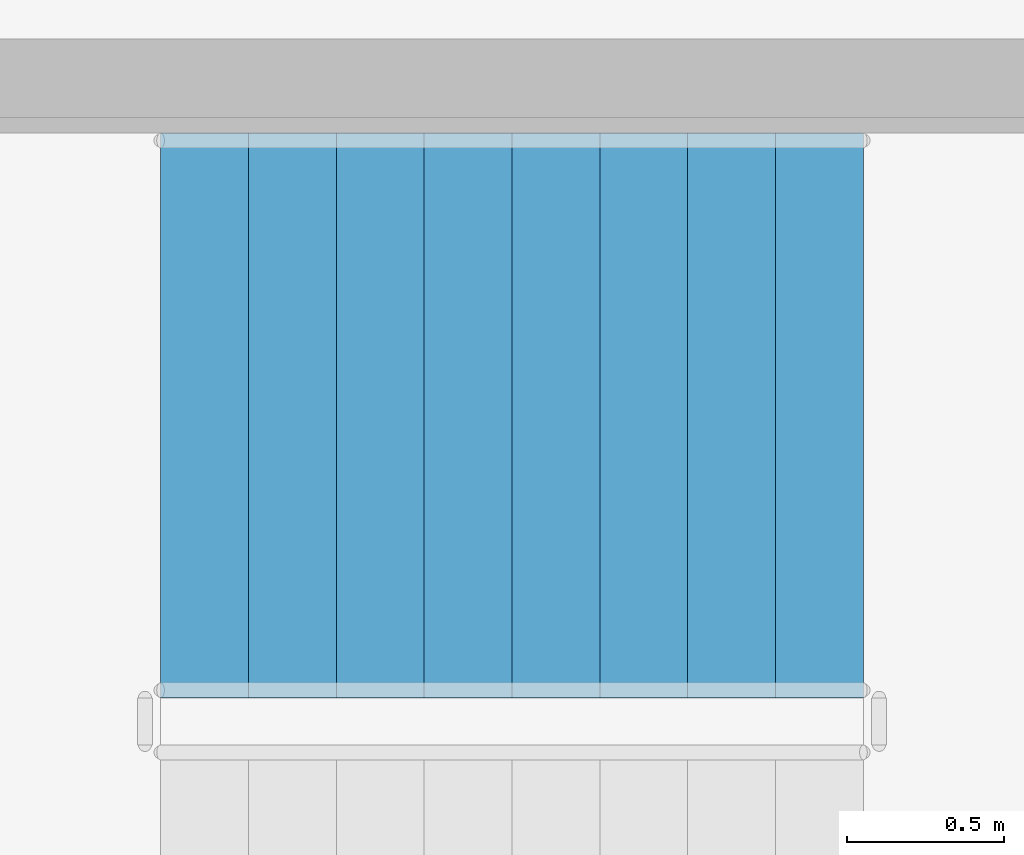
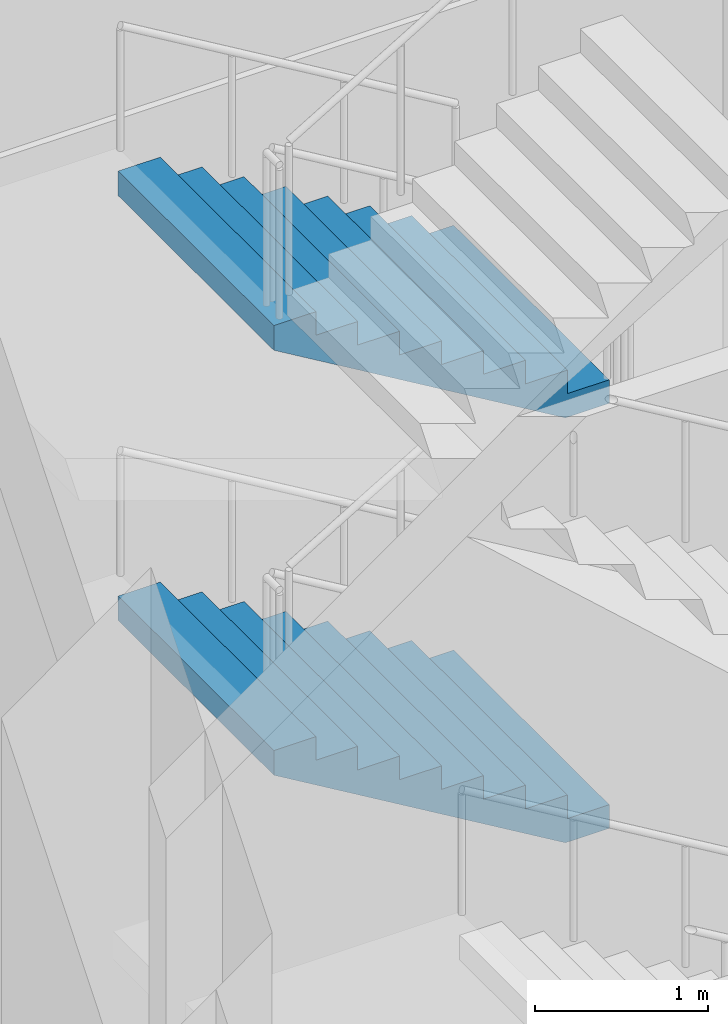
# One storey, part 18 of 39: 2 stair flights, 1 element without a shape of its own.
"""IFC4 building model written with IfcOpenShell, lengths in metres."""

from ifc_helpers import new_model, si_unit, direction, frame, origin, place, context, subcontext, project, spatial, triangles, material, type_object, element, aggregate, save


model = new_model("IFC4")

# Units and contexts
model_context = context("Model", 3, precision=1e-05, world=origin(), true_north=direction((0.0, 1.0)))
body_context = subcontext(model_context, "Body", "Model", "MODEL_VIEW")
ifc_project = project(units=[si_unit("LENGTHUNIT", "METRE"), si_unit("AREAUNIT", "SQUARE_METRE"), si_unit("VOLUMEUNIT", "CUBIC_METRE"), si_unit("PLANEANGLEUNIT", "RADIAN"), si_unit("MASSUNIT", "GRAM", prefix="KILO")], contexts=[model_context])

# Site, building, storey
site_placement = place(None, origin())
site = spatial("IfcSite", under=ifc_project, at=site_placement, CompositionType="ELEMENT")
building_placement = place(site_placement, origin())
building = spatial("IfcBuilding", under=site, at=building_placement, Name="Magnolia Steps Interchange", CompositionType="ELEMENT")
storey_placement = place(building_placement, frame((0.0, 0.0, -11.39990234375)))
storey = spatial("IfcBuildingStorey", under=building, at=storey_placement, Name="B2", CompositionType="ELEMENT", Elevation=-11.39990234375)

# Stair, stair flights
ifc_material_1 = material(Name="Concrete C40", Category="concrete")
stair_type = type_object("IfcStairType", Name="Exit stair 1800", PredefinedType="HALF_TURN_STAIR", material=ifc_material_1)
stair_placement = place(storey_placement, origin())
stair = element("IfcStair", 1, at=stair_placement, inside=storey, type_object=stair_type, Name="B2 Stair 10", PredefinedType="HALF_TURN_STAIR")
ifc_material_2 = material(Name="Concrete C40", Category="concrete")
stair_flight_type = type_object("IfcStairFlightType", Name="Exit stair flight", PredefinedType="STRAIGHT", material=ifc_material_2)
stair_flight_1_placement = place(storey_placement, frame((57.52490234375, 66.925048828125, 0.0), z_axis=(0.0, 0.0, 1.0), x_axis=(-1.0, 0.0, 0.0)))
stair_flight_1 = element("IfcStairFlight", 2, at=stair_flight_1_placement, type_object=stair_flight_type, Name="Stair 10 flight 1", NumberOfRisers=9, NumberOfTreads=8, PredefinedType="STRAIGHT", RiserHeight=0.166666667, TreadLength=0.28, context=body_context, shape_type="Tessellation", body=[
    triangles([(0.0, -0.9000244140625, 0.0), (0.29296875, -0.9000244140625, 0.0), (2.239990234375, -0.9000244140625, 1.158935546875), (2.239990234375, -0.9000244140625, 1.333251953125), (1.9599609375, -0.9000244140625, 1.333251953125), (1.9599609375, -0.9000244140625, 1.166748046875), (1.679931640625, -0.9000244140625, 1.166748046875), (1.679931640625, -0.9000244140625, 1.0), (1.39990234375, -0.9000244140625, 1.0), (1.39990234375, -0.9000244140625, 0.833251953125), (1.1201171875, -0.9000244140625, 0.833251953125), (1.1201171875, -0.9000244140625, 0.666748046875), (0.840087890625, -0.9000244140625, 0.666748046875), (0.840087890625, -0.9000244140625, 0.5), (0.56005859375, -0.9000244140625, 0.5), (0.56005859375, -0.9000244140625, 0.333251953125), (0.280029296875, -0.9000244140625, 0.333251953125), (0.280029296875, -0.9000244140625, 0.166748046875), (0.0, -0.9000244140625, 0.166748046875), (0.0, 0.9000244140625, 0.0), (0.29296875, 0.9000244140625, 0.0), (2.239990234375, 0.9000244140625, 1.158935546875), (2.239990234375, 0.9000244140625, 1.333251953125), (1.9599609375, 0.9000244140625, 1.333251953125), (1.9599609375, 0.9000244140625, 1.166748046875), (1.679931640625, 0.9000244140625, 1.166748046875), (1.679931640625, 0.9000244140625, 1.0), (1.39990234375, 0.9000244140625, 1.0), (1.39990234375, 0.9000244140625, 0.833251953125), (1.1201171875, 0.9000244140625, 0.833251953125), (1.1201171875, 0.9000244140625, 0.666748046875), (0.840087890625, 0.9000244140625, 0.666748046875), (0.840087890625, 0.9000244140625, 0.5), (0.56005859375, 0.9000244140625, 0.5), (0.56005859375, 0.9000244140625, 0.333251953125), (0.280029296875, 0.9000244140625, 0.333251953125), (0.280029296875, 0.9000244140625, 0.166748046875), (0.0, 0.9000244140625, 0.166748046875), (0.0, 0.0, 0.0), (0.0, 0.0, 0.04168701171875), (0.0, 0.0, 0.0833740234375), (0.0, 0.0, 0.12506103515625), (0.0, 0.0, 0.166748046875), (0.0, -0.05, 0.0), (0.0, -0.05, 0.166748046875), (0.0, 0.05, 0.0), (0.0, 0.05, 0.166748046875), (0.046671549479166664, 0.0, 0.166748046875), (0.09334309895833333, 0.0, 0.166748046875), (0.1400146484375, 0.0, 0.166748046875), (0.18668619791666666, 0.0, 0.166748046875), (0.23335774739583334, 0.0, 0.166748046875), (0.280029296875, 0.0, 0.166748046875), (0.280029296875, -0.05, 0.166748046875), (0.280029296875, 0.05, 0.166748046875), (0.280029296875, 0.0, 0.2083740234375), (0.280029296875, 0.0, 0.25), (0.280029296875, 0.0, 0.2916259765625), (0.280029296875, 0.0, 0.333251953125), (0.280029296875, -0.05, 0.333251953125), (0.280029296875, 0.05, 0.333251953125), (0.3267008463541667, 0.0, 0.333251953125), (0.3733723958333333, 0.0, 0.333251953125), (0.4200439453125, 0.0, 0.333251953125), (0.46671549479166663, 0.0, 0.333251953125), (0.5133870442708334, 0.0, 0.333251953125), (0.56005859375, 0.0, 0.333251953125), (0.56005859375, -0.05, 0.333251953125), (0.56005859375, 0.05, 0.333251953125), (0.56005859375, 0.0, 0.37493896484375), (0.56005859375, 0.0, 0.4166259765625), (0.56005859375, 0.0, 0.45831298828125), (0.56005859375, 0.0, 0.5), (0.56005859375, -0.05, 0.5), (0.56005859375, 0.05, 0.5), (0.6067301432291666, 0.0, 0.5), (0.6534016927083334, 0.0, 0.5), (0.7000732421875, 0.0, 0.5), (0.7467447916666666, 0.0, 0.5), (0.7934163411458334, 0.0, 0.5), (0.840087890625, 0.0, 0.5), (0.840087890625, -0.05, 0.5), (0.840087890625, 0.05, 0.5), (0.840087890625, 0.0, 0.54168701171875), (0.840087890625, 0.0, 0.5833740234375), (0.840087890625, 0.0, 0.62506103515625), (0.840087890625, 0.0, 0.666748046875), (0.840087890625, -0.05, 0.666748046875), (0.840087890625, 0.05, 0.666748046875), (0.8867594401041666, 0.0, 0.666748046875), (0.9334309895833334, 0.0, 0.666748046875), (0.9801025390625, 0.0, 0.666748046875), (1.0267740885416667, 0.0, 0.666748046875), (1.0734456380208333, 0.0, 0.666748046875), (1.1201171875, 0.0, 0.666748046875), (1.1201171875, -0.05, 0.666748046875), (1.1201171875, 0.05, 0.666748046875), (1.1201171875, 0.0, 0.7083740234375), (1.1201171875, 0.0, 0.75), (1.1201171875, 0.0, 0.7916259765625), (1.1201171875, 0.0, 0.833251953125), (1.1201171875, -0.05, 0.833251953125), (1.1201171875, 0.05, 0.833251953125), (1.1900634765625, 0.0, 0.833251953125), (1.260009765625, 0.0, 0.833251953125), (1.3299560546875, 0.0, 0.833251953125), (1.39990234375, 0.0, 0.833251953125), (1.39990234375, -0.05, 0.833251953125), (1.39990234375, 0.05, 0.833251953125), (1.39990234375, 0.0, 0.87493896484375), (1.39990234375, 0.0, 0.9166259765625), (1.39990234375, 0.0, 0.95831298828125), (1.39990234375, 0.0, 1.0), (1.39990234375, -0.05, 1.0), (1.39990234375, 0.05, 1.0), (1.4465738932291667, 0.0, 1.0), (1.4932454427083333, 0.0, 1.0), (1.5399169921875, 0.0, 1.0), (1.5865885416666667, 0.0, 1.0), (1.6332600911458333, 0.0, 1.0), (1.679931640625, 0.0, 1.0), (1.679931640625, -0.05, 1.0), (1.679931640625, 0.05, 1.0), (1.679931640625, 0.0, 1.04168701171875), (1.679931640625, 0.0, 1.0833740234375), (1.679931640625, 0.0, 1.12506103515625), (1.679931640625, 0.0, 1.166748046875), (1.679931640625, -0.05, 1.166748046875), (1.679931640625, 0.05, 1.166748046875), (1.7266031901041667, 0.0, 1.166748046875), (1.7732747395833333, 0.0, 1.166748046875), (1.8199462890625, 0.0, 1.166748046875), (1.8666178385416667, 0.0, 1.166748046875), (1.9132893880208333, 0.0, 1.166748046875), (1.9599609375, 0.0, 1.166748046875), (1.9599609375, -0.05, 1.166748046875), (1.9599609375, 0.05, 1.166748046875), (1.9599609375, 0.0, 1.2083740234375), (1.9599609375, 0.0, 1.25), (1.9599609375, 0.0, 1.2916259765625), (1.9599609375, 0.0, 1.333251953125), (1.9599609375, -0.05, 1.333251953125), (1.9599609375, 0.05, 1.333251953125), (2.0066324869791665, 0.0, 1.333251953125), (2.0533040364583335, 0.0, 1.333251953125), (2.0999755859375, 0.0, 1.333251953125), (2.1466471354166665, 0.0, 1.333251953125), (2.1933186848958335, 0.0, 1.333251953125), (2.239990234375, 0.0, 1.333251953125), (2.239990234375, -0.05, 1.333251953125), (2.239990234375, 0.05, 1.333251953125), (2.239990234375, 0.0, 1.2896728515625), (2.239990234375, 0.0, 1.24609375), (2.239990234375, 0.0, 1.2025146484375), (2.239990234375, 0.0, 1.158935546875), (2.239990234375, -0.05, 1.158935546875), (2.239990234375, 0.05, 1.158935546875), (2.1827248965992645, 0.0, 1.1248492072610294), (2.1254595588235294, 0.0, 1.0907628676470589), (2.068194221047794, 0.0, 1.0566765280330883), (2.010928883272059, 0.0, 1.0225901884191178), (1.9536635454963236, 0.0, 0.9885038488051471), (1.8963982077205883, 0.0, 0.9544175091911764), (1.8391328699448528, 0.0, 0.9203311695772058), (1.7818675321691178, 0.0, 0.8862448299632353), (1.7246021943933822, 0.0, 0.8521584903492647), (1.6673368566176472, 0.0, 0.8180721507352942), (1.6100715188419117, 0.0, 0.7839858111213236), (1.5528061810661766, 0.0, 0.7498994715073529), (1.4955408432904411, 0.0, 0.7158131318933824), (1.4382755055147058, 0.0, 0.6817267922794117), (1.3810101677389706, 0.0, 0.6476404526654411), (1.3237448299632353, 0.0, 0.6135541130514706), (1.2664794921875, 0.0, 0.5794677734375), (1.2092141544117647, 0.0, 0.5453814338235294), (1.1519488166360294, 0.0, 0.5112950942095589), (1.0946834788602942, 0.0, 0.4772087545955882), (1.0374181410845589, 0.0, 0.44312241498161764), (0.9801528033088236, 0.0, 0.4090360753676471), (0.9228874655330883, 0.0, 0.3749497357536765), (0.865622127757353, 0.0, 0.34086339613970584), (0.8083567899816178, 0.0, 0.3067770565257353), (0.7510914522058822, 0.0, 0.2726907169117647), (0.693826114430147, 0.0, 0.23860437729779416), (0.6365607766544117, 0.0, 0.20451803768382348), (0.5792954388786764, 0.0, 0.17043169806985292), (0.5220301011029411, 0.0, 0.13634535845588225), (0.46476476332720584, 0.0, 0.10225901884191169), (0.40749942555147056, 0.0, 0.06817267922794112), (0.3502340877757353, 0.0, 0.03408633961397056), (0.29296875, 0.0, 0.0), (0.29296875, -0.05, 0.0), (0.29296875, 0.05, 0.0), (0.244140625, 0.0, 0.0), (0.1953125, 0.0, 0.0), (0.146484375, 0.0, 0.0), (0.09765625, 0.0, 0.0), (0.048828125, 0.0, 0.0)], [[1, 2, 3], [3, 4, 5], [3, 5, 6], [3, 6, 7], [3, 7, 8], [8, 9, 10], [3, 8, 10], [10, 11, 12], [3, 10, 12], [12, 13, 14], [3, 12, 14], [14, 15, 16], [3, 14, 16], [1, 3, 16], [16, 17, 18], [1, 16, 18], [18, 19, 1], [20, 22, 21], [22, 24, 23], [22, 25, 24], [22, 26, 25], [22, 27, 26], [27, 29, 28], [22, 29, 27], [29, 31, 30], [22, 31, 29], [31, 33, 32], [22, 33, 31], [33, 35, 34], [22, 35, 33], [20, 35, 22], [35, 37, 36], [20, 37, 35], [37, 20, 38], [1, 19, 45], [1, 45, 44], [44, 40, 39], [44, 41, 40], [44, 45, 41], [45, 42, 41], [45, 43, 42], [20, 47, 38], [20, 46, 47], [46, 39, 40], [46, 40, 41], [46, 41, 47], [47, 41, 42], [47, 42, 43], [19, 18, 54], [19, 54, 45], [45, 48, 43], [45, 49, 48], [45, 50, 49], [45, 54, 50], [54, 51, 50], [54, 52, 51], [54, 53, 52], [38, 55, 37], [38, 47, 55], [47, 43, 48], [47, 48, 49], [47, 49, 50], [47, 50, 55], [55, 50, 51], [55, 51, 52], [55, 52, 53], [18, 17, 60], [18, 60, 54], [54, 56, 53], [54, 57, 56], [54, 60, 57], [60, 58, 57], [60, 59, 58], [37, 61, 36], [37, 55, 61], [55, 53, 56], [55, 56, 57], [55, 57, 61], [61, 57, 58], [61, 58, 59], [17, 16, 68], [17, 68, 60], [60, 62, 59], [60, 63, 62], [60, 64, 63], [60, 68, 64], [68, 65, 64], [68, 66, 65], [68, 67, 66], [36, 69, 35], [36, 61, 69], [61, 59, 62], [61, 62, 63], [61, 63, 64], [61, 64, 69], [69, 64, 65], [69, 65, 66], [69, 66, 67], [16, 15, 74], [16, 74, 68], [68, 70, 67], [68, 71, 70], [68, 74, 71], [74, 72, 71], [74, 73, 72], [35, 75, 34], [35, 69, 75], [69, 67, 70], [69, 70, 71], [69, 71, 75], [75, 71, 72], [75, 72, 73], [15, 14, 82], [15, 82, 74], [74, 76, 73], [74, 77, 76], [74, 78, 77], [74, 82, 78], [82, 79, 78], [82, 80, 79], [82, 81, 80], [34, 83, 33], [34, 75, 83], [75, 73, 76], [75, 76, 77], [75, 77, 78], [75, 78, 83], [83, 78, 79], [83, 79, 80], [83, 80, 81], [14, 13, 88], [14, 88, 82], [82, 84, 81], [82, 85, 84], [82, 88, 85], [88, 86, 85], [88, 87, 86], [33, 89, 32], [33, 83, 89], [83, 81, 84], [83, 84, 85], [83, 85, 89], [89, 85, 86], [89, 86, 87], [13, 12, 96], [13, 96, 88], [88, 90, 87], [88, 91, 90], [88, 92, 91], [88, 96, 92], [96, 93, 92], [96, 94, 93], [96, 95, 94], [32, 97, 31], [32, 89, 97], [89, 87, 90], [89, 90, 91], [89, 91, 92], [89, 92, 97], [97, 92, 93], [97, 93, 94], [97, 94, 95], [12, 11, 102], [12, 102, 96], [96, 98, 95], [96, 99, 98], [96, 102, 99], [102, 100, 99], [102, 101, 100], [31, 103, 30], [31, 97, 103], [97, 95, 98], [97, 98, 99], [97, 99, 103], [103, 99, 100], [103, 100, 101], [11, 10, 108], [11, 108, 102], [102, 104, 101], [102, 105, 104], [102, 108, 105], [108, 106, 105], [108, 107, 106], [30, 109, 29], [30, 103, 109], [103, 101, 104], [103, 104, 105], [103, 105, 109], [109, 105, 106], [109, 106, 107], [10, 9, 114], [10, 114, 108], [108, 110, 107], [108, 111, 110], [108, 114, 111], [114, 112, 111], [114, 113, 112], [29, 115, 28], [29, 109, 115], [109, 107, 110], [109, 110, 111], [109, 111, 115], [115, 111, 112], [115, 112, 113], [9, 8, 122], [9, 122, 114], [114, 116, 113], [114, 117, 116], [114, 118, 117], [114, 122, 118], [122, 119, 118], [122, 120, 119], [122, 121, 120], [28, 123, 27], [28, 115, 123], [115, 113, 116], [115, 116, 117], [115, 117, 118], [115, 118, 123], [123, 118, 119], [123, 119, 120], [123, 120, 121], [8, 7, 128], [8, 128, 122], [122, 124, 121], [122, 125, 124], [122, 128, 125], [128, 126, 125], [128, 127, 126], [27, 129, 26], [27, 123, 129], [123, 121, 124], [123, 124, 125], [123, 125, 129], [129, 125, 126], [129, 126, 127], [7, 6, 136], [7, 136, 128], [128, 130, 127], [128, 131, 130], [128, 132, 131], [128, 136, 132], [136, 133, 132], [136, 134, 133], [136, 135, 134], [26, 137, 25], [26, 129, 137], [129, 127, 130], [129, 130, 131], [129, 131, 132], [129, 132, 137], [137, 132, 133], [137, 133, 134], [137, 134, 135], [6, 5, 142], [6, 142, 136], [136, 138, 135], [136, 139, 138], [136, 142, 139], [142, 140, 139], [142, 141, 140], [25, 143, 24], [25, 137, 143], [137, 135, 138], [137, 138, 139], [137, 139, 143], [143, 139, 140], [143, 140, 141], [5, 4, 150], [5, 150, 142], [142, 144, 141], [142, 145, 144], [142, 146, 145], [142, 150, 146], [150, 147, 146], [150, 148, 147], [150, 149, 148], [24, 151, 23], [24, 143, 151], [143, 141, 144], [143, 144, 145], [143, 145, 146], [143, 146, 151], [151, 146, 147], [151, 147, 148], [151, 148, 149], [4, 3, 156], [4, 156, 150], [150, 152, 149], [150, 153, 152], [150, 156, 153], [156, 154, 153], [156, 155, 154], [23, 157, 22], [23, 151, 157], [151, 149, 152], [151, 152, 153], [151, 153, 157], [157, 153, 154], [157, 154, 155], [3, 2, 192], [3, 192, 156], [156, 158, 155], [156, 159, 158], [156, 160, 159], [156, 161, 160], [156, 162, 161], [156, 163, 162], [156, 164, 163], [156, 165, 164], [156, 166, 165], [156, 167, 166], [156, 168, 167], [156, 169, 168], [156, 170, 169], [156, 171, 170], [156, 172, 171], [156, 173, 172], [156, 174, 173], [156, 192, 174], [192, 175, 174], [192, 176, 175], [192, 177, 176], [192, 178, 177], [192, 179, 178], [192, 180, 179], [192, 181, 180], [192, 182, 181], [192, 183, 182], [192, 184, 183], [192, 185, 184], [192, 186, 185], [192, 187, 186], [192, 188, 187], [192, 189, 188], [192, 190, 189], [192, 191, 190], [22, 193, 21], [22, 157, 193], [157, 155, 158], [157, 158, 159], [157, 159, 160], [157, 160, 161], [157, 161, 162], [157, 162, 163], [157, 163, 164], [157, 164, 165], [157, 165, 166], [157, 166, 167], [157, 167, 168], [157, 168, 169], [157, 169, 170], [157, 170, 171], [157, 171, 172], [157, 172, 173], [157, 173, 174], [157, 174, 193], [193, 174, 175], [193, 175, 176], [193, 176, 177], [193, 177, 178], [193, 178, 179], [193, 179, 180], [193, 180, 181], [193, 181, 182], [193, 182, 183], [193, 183, 184], [193, 184, 185], [193, 185, 186], [193, 186, 187], [193, 187, 188], [193, 188, 189], [193, 189, 190], [193, 190, 191], [2, 1, 44], [2, 44, 192], [192, 194, 191], [192, 195, 194], [192, 196, 195], [192, 44, 196], [44, 197, 196], [44, 198, 197], [44, 39, 198], [21, 46, 20], [21, 193, 46], [193, 191, 194], [193, 194, 195], [193, 195, 196], [193, 196, 46], [46, 196, 197], [46, 197, 198], [46, 198, 39]], closed=True),
])
stair_flight_2_placement = place(storey_placement, frame((57.52490234375, 66.925048828125, 3.0), z_axis=(0.0, 0.0, 1.0), x_axis=(-1.0, 0.0, 0.0)))
stair_flight_2 = element("IfcStairFlight", 3, at=stair_flight_2_placement, type_object=stair_flight_type, Name="Stair 10 flight 3", NumberOfRisers=9, NumberOfTreads=8, PredefinedType="STRAIGHT", RiserHeight=0.166666667, TreadLength=0.28, context=body_context, shape_type="Tessellation", body=[
    triangles([(0.0, -0.9000244140625, 0.0), (0.29296875, -0.9000244140625, 0.0), (2.239990234375, -0.9000244140625, 1.158935546875), (2.239990234375, -0.9000244140625, 1.333251953125), (1.9599609375, -0.9000244140625, 1.333251953125), (1.9599609375, -0.9000244140625, 1.166748046875), (1.679931640625, -0.9000244140625, 1.166748046875), (1.679931640625, -0.9000244140625, 1.0), (1.39990234375, -0.9000244140625, 1.0), (1.39990234375, -0.9000244140625, 0.833251953125), (1.1201171875, -0.9000244140625, 0.833251953125), (1.1201171875, -0.9000244140625, 0.666748046875), (0.840087890625, -0.9000244140625, 0.666748046875), (0.840087890625, -0.9000244140625, 0.5), (0.56005859375, -0.9000244140625, 0.5), (0.56005859375, -0.9000244140625, 0.333251953125), (0.280029296875, -0.9000244140625, 0.333251953125), (0.280029296875, -0.9000244140625, 0.166748046875), (0.0, -0.9000244140625, 0.166748046875), (0.0, 0.9000244140625, 0.0), (0.29296875, 0.9000244140625, 0.0), (2.239990234375, 0.9000244140625, 1.158935546875), (2.239990234375, 0.9000244140625, 1.333251953125), (1.9599609375, 0.9000244140625, 1.333251953125), (1.9599609375, 0.9000244140625, 1.166748046875), (1.679931640625, 0.9000244140625, 1.166748046875), (1.679931640625, 0.9000244140625, 1.0), (1.39990234375, 0.9000244140625, 1.0), (1.39990234375, 0.9000244140625, 0.833251953125), (1.1201171875, 0.9000244140625, 0.833251953125), (1.1201171875, 0.9000244140625, 0.666748046875), (0.840087890625, 0.9000244140625, 0.666748046875), (0.840087890625, 0.9000244140625, 0.5), (0.56005859375, 0.9000244140625, 0.5), (0.56005859375, 0.9000244140625, 0.333251953125), (0.280029296875, 0.9000244140625, 0.333251953125), (0.280029296875, 0.9000244140625, 0.166748046875), (0.0, 0.9000244140625, 0.166748046875), (0.0, 0.0, 0.0), (0.0, 0.0, 0.04168701171875), (0.0, 0.0, 0.0833740234375), (0.0, 0.0, 0.12506103515625), (0.0, 0.0, 0.166748046875), (0.0, -0.05, 0.0), (0.0, -0.05, 0.166748046875), (0.0, 0.05, 0.0), (0.0, 0.05, 0.166748046875), (0.046671549479166664, 0.0, 0.166748046875), (0.09334309895833333, 0.0, 0.166748046875), (0.1400146484375, 0.0, 0.166748046875), (0.18668619791666666, 0.0, 0.166748046875), (0.23335774739583334, 0.0, 0.166748046875), (0.280029296875, 0.0, 0.166748046875), (0.280029296875, -0.05, 0.166748046875), (0.280029296875, 0.05, 0.166748046875), (0.280029296875, 0.0, 0.2083740234375), (0.280029296875, 0.0, 0.25), (0.280029296875, 0.0, 0.2916259765625), (0.280029296875, 0.0, 0.333251953125), (0.280029296875, -0.05, 0.333251953125), (0.280029296875, 0.05, 0.333251953125), (0.3267008463541667, 0.0, 0.333251953125), (0.3733723958333333, 0.0, 0.333251953125), (0.4200439453125, 0.0, 0.333251953125), (0.46671549479166663, 0.0, 0.333251953125), (0.5133870442708334, 0.0, 0.333251953125), (0.56005859375, 0.0, 0.333251953125), (0.56005859375, -0.05, 0.333251953125), (0.56005859375, 0.05, 0.333251953125), (0.56005859375, 0.0, 0.37493896484375), (0.56005859375, 0.0, 0.4166259765625), (0.56005859375, 0.0, 0.45831298828125), (0.56005859375, 0.0, 0.5), (0.56005859375, -0.05, 0.5), (0.56005859375, 0.05, 0.5), (0.6067301432291666, 0.0, 0.5), (0.6534016927083334, 0.0, 0.5), (0.7000732421875, 0.0, 0.5), (0.7467447916666666, 0.0, 0.5), (0.7934163411458334, 0.0, 0.5), (0.840087890625, 0.0, 0.5), (0.840087890625, -0.05, 0.5), (0.840087890625, 0.05, 0.5), (0.840087890625, 0.0, 0.54168701171875), (0.840087890625, 0.0, 0.5833740234375), (0.840087890625, 0.0, 0.62506103515625), (0.840087890625, 0.0, 0.666748046875), (0.840087890625, -0.05, 0.666748046875), (0.840087890625, 0.05, 0.666748046875), (0.8867594401041666, 0.0, 0.666748046875), (0.9334309895833334, 0.0, 0.666748046875), (0.9801025390625, 0.0, 0.666748046875), (1.0267740885416667, 0.0, 0.666748046875), (1.0734456380208333, 0.0, 0.666748046875), (1.1201171875, 0.0, 0.666748046875), (1.1201171875, -0.05, 0.666748046875), (1.1201171875, 0.05, 0.666748046875), (1.1201171875, 0.0, 0.7083740234375), (1.1201171875, 0.0, 0.75), (1.1201171875, 0.0, 0.7916259765625), (1.1201171875, 0.0, 0.833251953125), (1.1201171875, -0.05, 0.833251953125), (1.1201171875, 0.05, 0.833251953125), (1.1900634765625, 0.0, 0.833251953125), (1.260009765625, 0.0, 0.833251953125), (1.3299560546875, 0.0, 0.833251953125), (1.39990234375, 0.0, 0.833251953125), (1.39990234375, -0.05, 0.833251953125), (1.39990234375, 0.05, 0.833251953125), (1.39990234375, 0.0, 0.87493896484375), (1.39990234375, 0.0, 0.9166259765625), (1.39990234375, 0.0, 0.95831298828125), (1.39990234375, 0.0, 1.0), (1.39990234375, -0.05, 1.0), (1.39990234375, 0.05, 1.0), (1.4465738932291667, 0.0, 1.0), (1.4932454427083333, 0.0, 1.0), (1.5399169921875, 0.0, 1.0), (1.5865885416666667, 0.0, 1.0), (1.6332600911458333, 0.0, 1.0), (1.679931640625, 0.0, 1.0), (1.679931640625, -0.05, 1.0), (1.679931640625, 0.05, 1.0), (1.679931640625, 0.0, 1.04168701171875), (1.679931640625, 0.0, 1.0833740234375), (1.679931640625, 0.0, 1.12506103515625), (1.679931640625, 0.0, 1.166748046875), (1.679931640625, -0.05, 1.166748046875), (1.679931640625, 0.05, 1.166748046875), (1.7266031901041667, 0.0, 1.166748046875), (1.7732747395833333, 0.0, 1.166748046875), (1.8199462890625, 0.0, 1.166748046875), (1.8666178385416667, 0.0, 1.166748046875), (1.9132893880208333, 0.0, 1.166748046875), (1.9599609375, 0.0, 1.166748046875), (1.9599609375, -0.05, 1.166748046875), (1.9599609375, 0.05, 1.166748046875), (1.9599609375, 0.0, 1.2083740234375), (1.9599609375, 0.0, 1.25), (1.9599609375, 0.0, 1.2916259765625), (1.9599609375, 0.0, 1.333251953125), (1.9599609375, -0.05, 1.333251953125), (1.9599609375, 0.05, 1.333251953125), (2.0066324869791665, 0.0, 1.333251953125), (2.0533040364583335, 0.0, 1.333251953125), (2.0999755859375, 0.0, 1.333251953125), (2.1466471354166665, 0.0, 1.333251953125), (2.1933186848958335, 0.0, 1.333251953125), (2.239990234375, 0.0, 1.333251953125), (2.239990234375, -0.05, 1.333251953125), (2.239990234375, 0.05, 1.333251953125), (2.239990234375, 0.0, 1.2896728515625), (2.239990234375, 0.0, 1.24609375), (2.239990234375, 0.0, 1.2025146484375), (2.239990234375, 0.0, 1.158935546875), (2.239990234375, -0.05, 1.158935546875), (2.239990234375, 0.05, 1.158935546875), (2.1827248965992645, 0.0, 1.1248492072610294), (2.1254595588235294, 0.0, 1.0907628676470589), (2.068194221047794, 0.0, 1.0566765280330883), (2.010928883272059, 0.0, 1.0225901884191178), (1.9536635454963236, 0.0, 0.9885038488051471), (1.8963982077205883, 0.0, 0.9544175091911764), (1.8391328699448528, 0.0, 0.9203311695772058), (1.7818675321691178, 0.0, 0.8862448299632353), (1.7246021943933822, 0.0, 0.8521584903492647), (1.6673368566176472, 0.0, 0.8180721507352942), (1.6100715188419117, 0.0, 0.7839858111213236), (1.5528061810661766, 0.0, 0.7498994715073529), (1.4955408432904411, 0.0, 0.7158131318933824), (1.4382755055147058, 0.0, 0.6817267922794117), (1.3810101677389706, 0.0, 0.6476404526654411), (1.3237448299632353, 0.0, 0.6135541130514706), (1.2664794921875, 0.0, 0.5794677734375), (1.2092141544117647, 0.0, 0.5453814338235294), (1.1519488166360294, 0.0, 0.5112950942095589), (1.0946834788602942, 0.0, 0.4772087545955882), (1.0374181410845589, 0.0, 0.44312241498161764), (0.9801528033088236, 0.0, 0.4090360753676471), (0.9228874655330883, 0.0, 0.3749497357536765), (0.865622127757353, 0.0, 0.34086339613970584), (0.8083567899816178, 0.0, 0.3067770565257353), (0.7510914522058822, 0.0, 0.2726907169117647), (0.693826114430147, 0.0, 0.23860437729779416), (0.6365607766544117, 0.0, 0.20451803768382348), (0.5792954388786764, 0.0, 0.17043169806985292), (0.5220301011029411, 0.0, 0.13634535845588225), (0.46476476332720584, 0.0, 0.10225901884191169), (0.40749942555147056, 0.0, 0.06817267922794112), (0.3502340877757353, 0.0, 0.03408633961397056), (0.29296875, 0.0, 0.0), (0.29296875, -0.05, 0.0), (0.29296875, 0.05, 0.0), (0.244140625, 0.0, 0.0), (0.1953125, 0.0, 0.0), (0.146484375, 0.0, 0.0), (0.09765625, 0.0, 0.0), (0.048828125, 0.0, 0.0)], [[1, 2, 3], [3, 4, 5], [3, 5, 6], [3, 6, 7], [3, 7, 8], [8, 9, 10], [3, 8, 10], [10, 11, 12], [3, 10, 12], [12, 13, 14], [3, 12, 14], [14, 15, 16], [3, 14, 16], [1, 3, 16], [16, 17, 18], [1, 16, 18], [18, 19, 1], [20, 22, 21], [22, 24, 23], [22, 25, 24], [22, 26, 25], [22, 27, 26], [27, 29, 28], [22, 29, 27], [29, 31, 30], [22, 31, 29], [31, 33, 32], [22, 33, 31], [33, 35, 34], [22, 35, 33], [20, 35, 22], [35, 37, 36], [20, 37, 35], [37, 20, 38], [1, 19, 45], [1, 45, 44], [44, 40, 39], [44, 41, 40], [44, 45, 41], [45, 42, 41], [45, 43, 42], [20, 47, 38], [20, 46, 47], [46, 39, 40], [46, 40, 41], [46, 41, 47], [47, 41, 42], [47, 42, 43], [19, 18, 54], [19, 54, 45], [45, 48, 43], [45, 49, 48], [45, 50, 49], [45, 54, 50], [54, 51, 50], [54, 52, 51], [54, 53, 52], [38, 55, 37], [38, 47, 55], [47, 43, 48], [47, 48, 49], [47, 49, 50], [47, 50, 55], [55, 50, 51], [55, 51, 52], [55, 52, 53], [18, 17, 60], [18, 60, 54], [54, 56, 53], [54, 57, 56], [54, 60, 57], [60, 58, 57], [60, 59, 58], [37, 61, 36], [37, 55, 61], [55, 53, 56], [55, 56, 57], [55, 57, 61], [61, 57, 58], [61, 58, 59], [17, 16, 68], [17, 68, 60], [60, 62, 59], [60, 63, 62], [60, 64, 63], [60, 68, 64], [68, 65, 64], [68, 66, 65], [68, 67, 66], [36, 69, 35], [36, 61, 69], [61, 59, 62], [61, 62, 63], [61, 63, 64], [61, 64, 69], [69, 64, 65], [69, 65, 66], [69, 66, 67], [16, 15, 74], [16, 74, 68], [68, 70, 67], [68, 71, 70], [68, 74, 71], [74, 72, 71], [74, 73, 72], [35, 75, 34], [35, 69, 75], [69, 67, 70], [69, 70, 71], [69, 71, 75], [75, 71, 72], [75, 72, 73], [15, 14, 82], [15, 82, 74], [74, 76, 73], [74, 77, 76], [74, 78, 77], [74, 82, 78], [82, 79, 78], [82, 80, 79], [82, 81, 80], [34, 83, 33], [34, 75, 83], [75, 73, 76], [75, 76, 77], [75, 77, 78], [75, 78, 83], [83, 78, 79], [83, 79, 80], [83, 80, 81], [14, 13, 88], [14, 88, 82], [82, 84, 81], [82, 85, 84], [82, 88, 85], [88, 86, 85], [88, 87, 86], [33, 89, 32], [33, 83, 89], [83, 81, 84], [83, 84, 85], [83, 85, 89], [89, 85, 86], [89, 86, 87], [13, 12, 96], [13, 96, 88], [88, 90, 87], [88, 91, 90], [88, 92, 91], [88, 96, 92], [96, 93, 92], [96, 94, 93], [96, 95, 94], [32, 97, 31], [32, 89, 97], [89, 87, 90], [89, 90, 91], [89, 91, 92], [89, 92, 97], [97, 92, 93], [97, 93, 94], [97, 94, 95], [12, 11, 102], [12, 102, 96], [96, 98, 95], [96, 99, 98], [96, 102, 99], [102, 100, 99], [102, 101, 100], [31, 103, 30], [31, 97, 103], [97, 95, 98], [97, 98, 99], [97, 99, 103], [103, 99, 100], [103, 100, 101], [11, 10, 108], [11, 108, 102], [102, 104, 101], [102, 105, 104], [102, 108, 105], [108, 106, 105], [108, 107, 106], [30, 109, 29], [30, 103, 109], [103, 101, 104], [103, 104, 105], [103, 105, 109], [109, 105, 106], [109, 106, 107], [10, 9, 114], [10, 114, 108], [108, 110, 107], [108, 111, 110], [108, 114, 111], [114, 112, 111], [114, 113, 112], [29, 115, 28], [29, 109, 115], [109, 107, 110], [109, 110, 111], [109, 111, 115], [115, 111, 112], [115, 112, 113], [9, 8, 122], [9, 122, 114], [114, 116, 113], [114, 117, 116], [114, 118, 117], [114, 122, 118], [122, 119, 118], [122, 120, 119], [122, 121, 120], [28, 123, 27], [28, 115, 123], [115, 113, 116], [115, 116, 117], [115, 117, 118], [115, 118, 123], [123, 118, 119], [123, 119, 120], [123, 120, 121], [8, 7, 128], [8, 128, 122], [122, 124, 121], [122, 125, 124], [122, 128, 125], [128, 126, 125], [128, 127, 126], [27, 129, 26], [27, 123, 129], [123, 121, 124], [123, 124, 125], [123, 125, 129], [129, 125, 126], [129, 126, 127], [7, 6, 136], [7, 136, 128], [128, 130, 127], [128, 131, 130], [128, 132, 131], [128, 136, 132], [136, 133, 132], [136, 134, 133], [136, 135, 134], [26, 137, 25], [26, 129, 137], [129, 127, 130], [129, 130, 131], [129, 131, 132], [129, 132, 137], [137, 132, 133], [137, 133, 134], [137, 134, 135], [6, 5, 142], [6, 142, 136], [136, 138, 135], [136, 139, 138], [136, 142, 139], [142, 140, 139], [142, 141, 140], [25, 143, 24], [25, 137, 143], [137, 135, 138], [137, 138, 139], [137, 139, 143], [143, 139, 140], [143, 140, 141], [5, 4, 150], [5, 150, 142], [142, 144, 141], [142, 145, 144], [142, 146, 145], [142, 150, 146], [150, 147, 146], [150, 148, 147], [150, 149, 148], [24, 151, 23], [24, 143, 151], [143, 141, 144], [143, 144, 145], [143, 145, 146], [143, 146, 151], [151, 146, 147], [151, 147, 148], [151, 148, 149], [4, 3, 156], [4, 156, 150], [150, 152, 149], [150, 153, 152], [150, 156, 153], [156, 154, 153], [156, 155, 154], [23, 157, 22], [23, 151, 157], [151, 149, 152], [151, 152, 153], [151, 153, 157], [157, 153, 154], [157, 154, 155], [3, 2, 192], [3, 192, 156], [156, 158, 155], [156, 159, 158], [156, 160, 159], [156, 161, 160], [156, 162, 161], [156, 163, 162], [156, 164, 163], [156, 165, 164], [156, 166, 165], [156, 167, 166], [156, 168, 167], [156, 169, 168], [156, 170, 169], [156, 171, 170], [156, 172, 171], [156, 173, 172], [156, 174, 173], [156, 192, 174], [192, 175, 174], [192, 176, 175], [192, 177, 176], [192, 178, 177], [192, 179, 178], [192, 180, 179], [192, 181, 180], [192, 182, 181], [192, 183, 182], [192, 184, 183], [192, 185, 184], [192, 186, 185], [192, 187, 186], [192, 188, 187], [192, 189, 188], [192, 190, 189], [192, 191, 190], [22, 193, 21], [22, 157, 193], [157, 155, 158], [157, 158, 159], [157, 159, 160], [157, 160, 161], [157, 161, 162], [157, 162, 163], [157, 163, 164], [157, 164, 165], [157, 165, 166], [157, 166, 167], [157, 167, 168], [157, 168, 169], [157, 169, 170], [157, 170, 171], [157, 171, 172], [157, 172, 173], [157, 173, 174], [157, 174, 193], [193, 174, 175], [193, 175, 176], [193, 176, 177], [193, 177, 178], [193, 178, 179], [193, 179, 180], [193, 180, 181], [193, 181, 182], [193, 182, 183], [193, 183, 184], [193, 184, 185], [193, 185, 186], [193, 186, 187], [193, 187, 188], [193, 188, 189], [193, 189, 190], [193, 190, 191], [2, 1, 44], [2, 44, 192], [192, 194, 191], [192, 195, 194], [192, 196, 195], [192, 44, 196], [44, 197, 196], [44, 198, 197], [44, 39, 198], [21, 46, 20], [21, 193, 46], [193, 191, 194], [193, 194, 195], [193, 195, 196], [193, 196, 46], [46, 196, 197], [46, 197, 198], [46, 198, 39]], closed=True),
])
aggregate(stair, [stair_flight_1, stair_flight_2])

save(model, "model.ifc")
